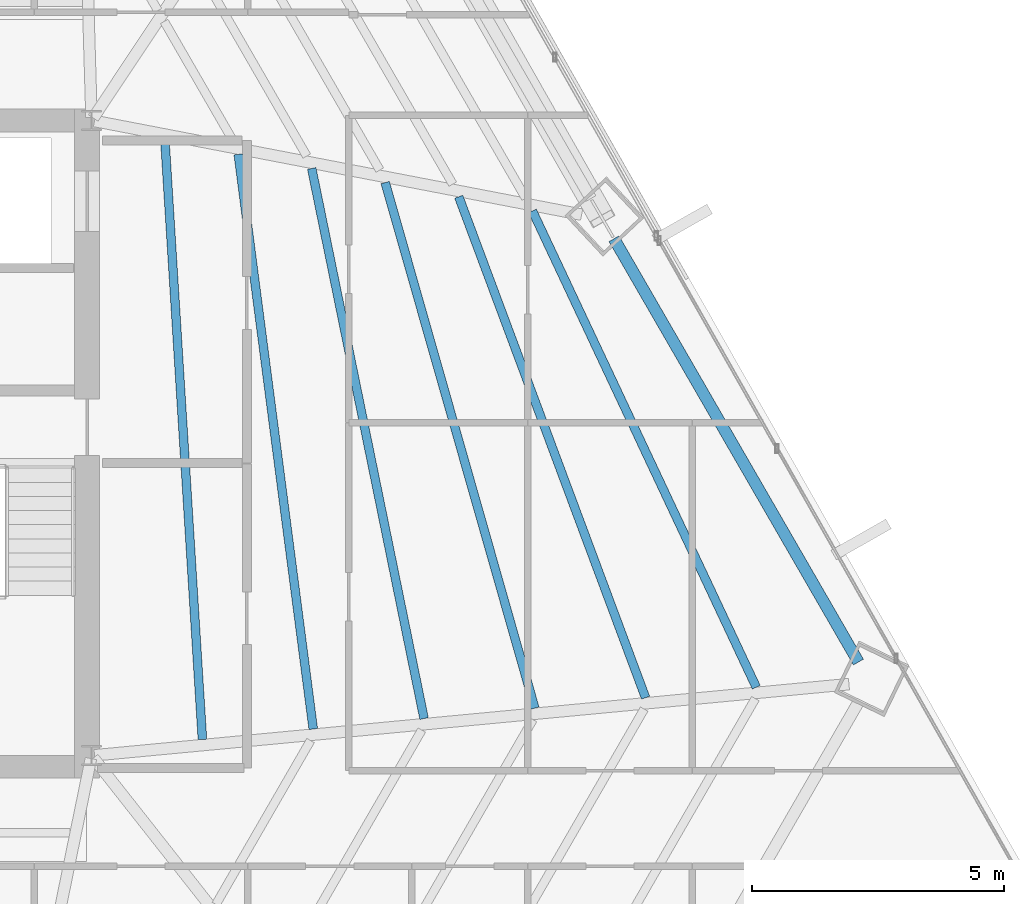
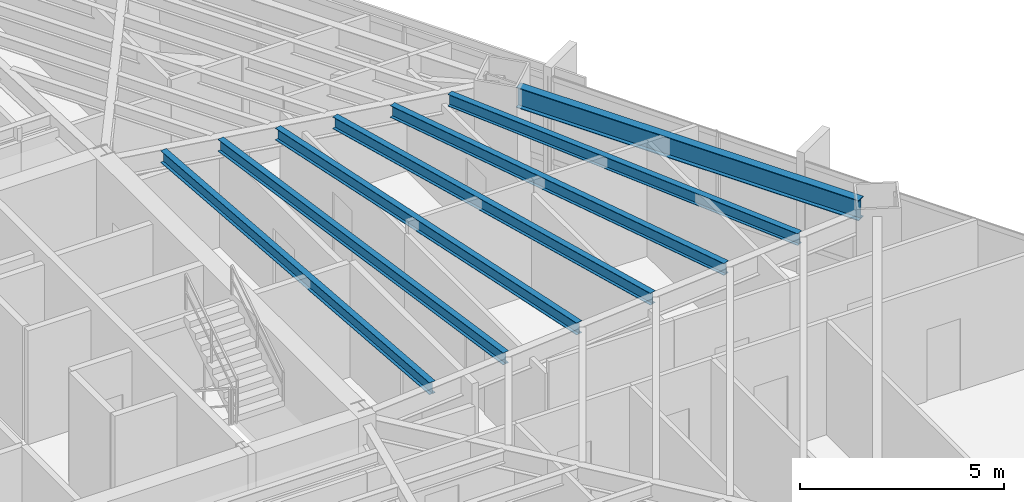
# One storey, part 21 of 37: 7 beams.
"""IFC4 building model written with IfcOpenShell, lengths in metres."""

import ifcopenshell
import ifcopenshell.guid

model = None  # the IFC model being written
_history = None  # IfcOwnerHistory: only IFC2X3 demands one
_inside = {}  # id of a spatial element -> (the spatial element, [elements in it])
_under = {}  # id of a project, library or spatial element -> (it, [spatial elements below it])
_declared = {}  # id of a project -> (the project, [libraries it declares])
_typed = {}  # id of a type object -> (the type object, [elements of that type])
_made_of = {}  # id of a material, layer set ... -> (it, [elements and type objects made of it])


def new_model(schema):
    """Start an empty IFC model of exactly this schema.

    Asked for "IFC4X3", IfcOpenShell would pick the latest addendum, in which some entities
    have other attributes; the version numbers below select the first issue.
    IFC2X3 requires an IfcOwnerHistory on every rooted entity: one is made here for all.
    """
    global model, _history
    if schema == "IFC4X3":
        model = ifcopenshell.file(schema_version=(4, 3, 0, 0))
    else:
        model = ifcopenshell.file(schema=schema)
    _inside.clear()
    _under.clear()
    _declared.clear()
    _typed.clear()
    _made_of.clear()
    _history = None
    if model.schema == "IFC2X3":
        org = make("IfcOrganization", Name="unknown")
        user = make(
            "IfcPersonAndOrganization",
            ThePerson=make("IfcPerson", FamilyName="unknown"),
            TheOrganization=org,
        )
        app = make(
            "IfcApplication",
            ApplicationDeveloper=org,
            Version="unknown",
            ApplicationFullName="unknown",
            ApplicationIdentifier="unknown",
        )
        _history = make(
            "IfcOwnerHistory",
            OwningUser=user,
            OwningApplication=app,
            ChangeAction="ADDED",
            CreationDate=0,
        )
    return model


def make(cls, **values):
    """One entity of the class cls with the attributes given. An attribute that is None is left unset."""
    return model.create_entity(
        cls, **{name: value for name, value in values.items() if value is not None}
    )


def rooted(cls, **values):
    """An entity with a GlobalId (a new one), such as an element, a storey or a relation."""
    return make(cls, GlobalId=ifcopenshell.guid.new(), OwnerHistory=_history, **values)


def si_unit(unit_type, name, prefix=None):
    """IfcSIUnit, for example si_unit("LENGTHUNIT", "METRE", prefix="MILLI")."""
    return make("IfcSIUnit", UnitType=unit_type, Prefix=prefix, Name=name)


def assignment(units):
    """IfcUnitAssignment: the units of a project."""
    return None if units is None else make("IfcUnitAssignment", Units=units)


def point(xyz):
    """IfcCartesianPoint."""
    return None if xyz is None else make("IfcCartesianPoint", Coordinates=xyz)


def direction(xyz):
    """IfcDirection."""
    return None if xyz is None else make("IfcDirection", DirectionRatios=xyz)


def frame(location, z_axis=None, x_axis=None):
    """IfcAxis2Placement3D, a coordinate frame: its origin and axes. An axis left out is left unset."""
    return make(
        "IfcAxis2Placement3D",
        Location=point(location),
        Axis=direction(z_axis),
        RefDirection=direction(x_axis),
    )


def frame_2d(location, x_axis=None):
    """IfcAxis2Placement2D, a coordinate frame in the plane: its origin and x axis."""
    return make(
        "IfcAxis2Placement2D", Location=point(location), RefDirection=direction(x_axis)
    )


def origin():
    """The frame at (0, 0, 0) with its axes left unset."""
    return frame((0.0, 0.0, 0.0))


def origin_2d():
    """The frame at (0, 0) in the plane with its x axis left unset."""
    return frame_2d((0.0, 0.0))


def place(relative_to, where):
    """IfcLocalPlacement: puts the frame where relative to a parent placement (None: the world)."""
    return make(
        "IfcLocalPlacement", PlacementRelTo=relative_to, RelativePlacement=where
    )


def context(
    kind, dimensions, precision=None, world=None, true_north=None, identifier=None
):
    """IfcGeometricRepresentationContext, for example the 3D "Model" context."""
    return make(
        "IfcGeometricRepresentationContext",
        ContextIdentifier=identifier,
        ContextType=kind,
        CoordinateSpaceDimension=dimensions,
        Precision=precision,
        WorldCoordinateSystem=world,
        TrueNorth=true_north,
    )


def subcontext(parent, identifier, kind, view, scale=None):
    """IfcGeometricRepresentationSubContext, for example "Body" below "Model"."""
    return make(
        "IfcGeometricRepresentationSubContext",
        ContextIdentifier=identifier,
        ContextType=kind,
        ParentContext=parent,
        TargetScale=scale,
        TargetView=view,
    )


def project(units=None, contexts=None):
    """IfcProject with its units and contexts."""
    return rooted(
        "IfcProject",
        Name="project",
        RepresentationContexts=contexts,
        UnitsInContext=assignment(units),
    )


def spatial(cls, under=None, at=None, **own):
    """A site, building, storey or space (cls), placed at a placement, below another one or the project."""
    s = rooted(cls, ObjectPlacement=at, **own)
    if under is not None:
        _under.setdefault(under.id(), (under, []))[1].append(s)
    return s


def profile(cls, at=None, kind="AREA", **sizes):
    """A parametric profile (cls). Its sizes go by their IFC names, for example OverallWidth=200.0."""
    return make(cls, ProfileType=kind, Position=at, **sizes)


def i_section(**sizes):
    """IfcIShapeProfileDef."""
    return profile("IfcIShapeProfileDef", **sizes)


def extrude(swept, where, along, depth):
    """IfcExtrudedAreaSolid: the profile swept, set in the frame where, extruded along a direction by depth."""
    return make(
        "IfcExtrudedAreaSolid",
        SweptArea=swept,
        Position=where,
        ExtrudedDirection=direction(along),
        Depth=depth,
    )


def shape(context_of_items, identifier, shape_type, items):
    """IfcShapeRepresentation: the items that make up one representation, for example the "Body"."""
    return make(
        "IfcShapeRepresentation",
        ContextOfItems=context_of_items,
        RepresentationIdentifier=identifier,
        RepresentationType=shape_type,
        Items=items,
    )


def source(mapping_origin, context_of_items, identifier, shape_type, items):
    """IfcRepresentationMap: a shape defined once, which mapped items show again and again."""
    return make(
        "IfcRepresentationMap",
        MappingOrigin=mapping_origin,
        MappedRepresentation=shape(context_of_items, identifier, shape_type, items),
    )


def transform(
    local_origin,
    x_axis=None,
    y_axis=None,
    z_axis=None,
    scale=None,
    scale2=None,
    scale3=None,
    uniform=True,
):
    """IfcCartesianTransformationOperator3D, or its non-uniform kind. x_axis, y_axis, z_axis: its Axis1, 2, 3."""
    if uniform:
        return make(
            "IfcCartesianTransformationOperator3D",
            Axis1=direction(x_axis),
            Axis2=direction(y_axis),
            LocalOrigin=point(local_origin),
            Scale=scale,
            Axis3=direction(z_axis),
        )
    return make(
        "IfcCartesianTransformationOperator3DnonUniform",
        Axis1=direction(x_axis),
        Axis2=direction(y_axis),
        LocalOrigin=point(local_origin),
        Scale=scale,
        Axis3=direction(z_axis),
        Scale2=scale2,
        Scale3=scale3,
    )


def mapped(mapping_source, mapping_target):
    """IfcMappedItem: shows the shape of a source again, moved by a transform."""
    return make(
        "IfcMappedItem", MappingSource=mapping_source, MappingTarget=mapping_target
    )


def material(Name=None, Category=None):
    """IfcMaterial."""
    return make("IfcMaterial", Name=Name, Category=Category)


def material_profile(
    of_material, cross_section, Name=None, Category=None, Priority=None
):
    """IfcMaterialProfile: a cross section and its material."""
    return make(
        "IfcMaterialProfile",
        Name=Name,
        Material=of_material,
        Profile=cross_section,
        Priority=Priority,
        Category=Category,
    )


def profile_set(profiles, Name=None, composite=None):
    """IfcMaterialProfileSet."""
    return make(
        "IfcMaterialProfileSet",
        Name=Name,
        MaterialProfiles=profiles,
        CompositeProfile=composite,
    )


def made_of(thing, what):
    """Note that an element or type object is made of a material, layer set ...; save() writes the relation."""
    if what is not None:
        _made_of.setdefault(what.id(), (what, []))[1].append(thing)
    return thing


def type_object(cls, material=None, **own):
    """A type object (cls), such as IfcWallType, which elements share."""
    return made_of(rooted(cls, **own), material)


def type_shapes(of_type, sources):
    """Give a type object the sources (RepresentationMaps) that its elements show as mapped items."""
    of_type.RepresentationMaps = sources


def element(
    cls,
    number,
    at=None,
    inside=None,
    cuts=None,
    type_object=None,
    material=None,
    context=None,
    identifier="Body",
    shape_type=None,
    held_by="IfcProductDefinitionShape",
    body=None,
    shapes=None,
    **own,
):
    """One element of the class cls, such as IfcWall. Its Tag is "e" and its number.

    at: its placement. inside: the storey or other place that contains it. cuts: it is an
    opening in that element (IfcRelVoidsElement). A single representation is given by context,
    identifier, shape_type and body (its items); several are given by shapes. held_by: the class
    of the entity that holds the representations. save() writes the other relations.
    """
    e = rooted(cls, Tag="e%d" % number, ObjectPlacement=at, **own)
    if body is not None:
        shapes = [shape(context, identifier, shape_type, body)]
    if shapes is not None:
        e.Representation = make(held_by, Representations=shapes)
    if inside is not None:
        _inside.setdefault(inside.id(), (inside, []))[1].append(e)
    if cuts is not None:
        rooted(
            "IfcRelVoidsElement", RelatingBuildingElement=cuts, RelatedOpeningElement=e
        )
    if type_object is not None:
        _typed.setdefault(type_object.id(), (type_object, []))[1].append(e)
    return made_of(e, material)


def aggregate(whole, parts):
    """IfcRelAggregates: a whole, such as a stair, and the parts it consists of."""
    return rooted("IfcRelAggregates", RelatingObject=whole, RelatedObjects=parts)


def save(model, path):
    """Write the relations noted so far, then the file.

    IfcRelAggregates (storeys below a building ...), IfcRelContainedInSpatialStructure (elements
    in a storey), IfcRelDefinesByType, IfcRelAssociatesMaterial and IfcRelDeclares: one each for
    every whole, place, type object, material and project.
    """
    for whole, parts in _under.values():
        aggregate(whole, parts)
    for where, things in _inside.values():
        rooted(
            "IfcRelContainedInSpatialStructure",
            RelatedElements=things,
            RelatingStructure=where,
        )
    for kind, things in _typed.values():
        rooted("IfcRelDefinesByType", RelatedObjects=things, RelatingType=kind)
    for what, things in _made_of.values():
        rooted("IfcRelAssociatesMaterial", RelatedObjects=things, RelatingMaterial=what)
    for by, libraries in _declared.values():
        rooted("IfcRelDeclares", RelatingContext=by, RelatedDefinitions=libraries)
    model.write(path)


model = new_model("IFC4")

# Units and contexts
model_context = context("Model", 3, precision=1e-05, world=origin(), true_north=direction((0.0, 1.0)))
body_context = subcontext(model_context, "Body", "Model", "MODEL_VIEW")
ifc_project = project(units=[si_unit("LENGTHUNIT", "METRE"), si_unit("AREAUNIT", "SQUARE_METRE"), si_unit("VOLUMEUNIT", "CUBIC_METRE"), si_unit("PLANEANGLEUNIT", "RADIAN"), si_unit("MASSUNIT", "GRAM", prefix="KILO")], contexts=[model_context])

# Site, building, storey
site_placement = place(None, origin())
site = spatial("IfcSite", under=ifc_project, at=site_placement, CompositionType="ELEMENT")
building_placement = place(site_placement, origin())
building = spatial("IfcBuilding", under=site, at=building_placement, Name="Caelisora Broadcast Tower", CompositionType="ELEMENT")
storey_placement = place(building_placement, frame((0.0, 0.0, 120.0)))
storey = spatial("IfcBuildingStorey", under=building, at=storey_placement, Name="L31", CompositionType="ELEMENT", Elevation=120.0)

# Beams
ifc_material = material(Name="Steel Grade 350 (AS/NZS 3679.1)", Category="steel")
ifc_material_profile_1 = material_profile(ifc_material, i_section(OverallWidth=0.22900390625, OverallDepth=0.611572265625, WebThickness=0.011962890625, FlangeThickness=0.01953125, at=origin_2d()), Name="Steel Grade 350 (AS/NZS 3679.1)")
ifc_profile_set_1 = profile_set([ifc_material_profile_1], Name="Steel Grade 350 (AS/NZS 3679.1)")
beam_type_1 = type_object("IfcBeamType", Name="PG03", PredefinedType="BEAM", material=ifc_profile_set_1)
shared_shape_1 = source(origin(), body_context, "Body", "SweptSolid", [
    extrude(i_section(OverallWidth=0.22900390625, OverallDepth=0.611572265625, WebThickness=0.011962890625, FlangeThickness=0.01953125, at=origin_2d()), origin(), (0.0, 0.0, 1.0), 9.697265625),
])
type_shapes(beam_type_1, [shared_shape_1])
beam_1_placement = place(storey_placement, frame((60.713134765625, 19.2548828125, 3.09423828125), z_axis=(-0.500005767435, 0.866022073929, 0.0), x_axis=(-0.866022073929, -0.500005767435, 0.0)))
element("IfcBeam", 1, at=beam_1_placement, inside=storey, type_object=beam_type_1, Name="L31 beam PG03", PredefinedType="BEAM", context=body_context, shape_type="MappedRepresentation", body=[
    mapped(shared_shape_1, transform((0.0, 0.0, 0.0), scale=1.0)),
])
ifc_material_profile_2 = material_profile(ifc_material, i_section(OverallWidth=0.172119140625, OverallDepth=0.358642578125, WebThickness=0.008056640625, FlangeThickness=0.012939453125, at=origin_2d()), Name="Steel Grade 350 (AS/NZS 3679.1)")
ifc_profile_set_2 = profile_set([ifc_material_profile_2], Name="Steel Grade 350 (AS/NZS 3679.1)")
beam_type_2 = type_object("IfcBeamType", Name="SB02", PredefinedType="JOIST", material=ifc_profile_set_2)
shared_shape_2 = source(origin(), body_context, "Body", "SweptSolid", [
    extrude(i_section(OverallWidth=0.172119140625, OverallDepth=0.358642578125, WebThickness=0.008056640625, FlangeThickness=0.012939453125, at=origin_2d()), origin(), (0.0, 0.0, 1.0), 11.911376953125),
])
beam_2_placement = place(storey_placement, frame((47.69921875, 17.718994140625, 3.220703125), z_axis=(-0.062493128658, 0.998045394193, 0.0), x_axis=(-0.998045394193, -0.062493128658, 0.0)))
element("IfcBeam", 2, at=beam_2_placement, inside=storey, type_object=beam_type_2, Name="L31 beam SB02", PredefinedType="JOIST", context=body_context, shape_type="MappedRepresentation", body=[
    mapped(shared_shape_2, transform((0.0, 0.0, 0.0), scale=1.0)),
])
shared_shape_3 = source(origin(), body_context, "Body", "SweptSolid", [
    extrude(i_section(OverallWidth=0.172119140625, OverallDepth=0.358642578125, WebThickness=0.008056640625, FlangeThickness=0.012939453125, at=origin_2d()), origin(), (0.0, 0.0, 1.0), 11.49755859375),
])
beam_3_placement = place(storey_placement, frame((49.89794921875, 17.92626953125, 3.220703125), z_axis=(-0.129359155304, 0.991597806038, 0.0), x_axis=(-0.991597806038, -0.129359155304, 0.0)))
element("IfcBeam", 3, at=beam_3_placement, inside=storey, type_object=beam_type_2, Name="L31 beam SB02", PredefinedType="JOIST", context=body_context, shape_type="MappedRepresentation", body=[
    mapped(shared_shape_3, transform((0.0, 0.0, 0.0), scale=1.0)),
])
shared_shape_4 = source(origin(), body_context, "Body", "SweptSolid", [
    extrude(i_section(OverallWidth=0.172119140625, OverallDepth=0.358642578125, WebThickness=0.008056640625, FlangeThickness=0.012939453125, at=origin_2d()), origin(), (0.0, 0.0, 1.0), 11.138671875),
])
beam_4_placement = place(storey_placement, frame((52.09619140625, 18.1337890625, 3.220703125), z_axis=(-0.200093562843, 0.979776794024, 0.0), x_axis=(-0.979776794024, -0.200093562843, 0.0)))
element("IfcBeam", 4, at=beam_4_placement, inside=storey, type_object=beam_type_2, Name="L31 beam SB02", PredefinedType="JOIST", context=body_context, shape_type="MappedRepresentation", body=[
    mapped(shared_shape_4, transform((0.0, 0.0, 0.0), scale=1.0)),
])
shared_shape_5 = source(origin(), body_context, "Body", "SweptSolid", [
    extrude(i_section(OverallWidth=0.172119140625, OverallDepth=0.358642578125, WebThickness=0.008056640625, FlangeThickness=0.012939453125, at=origin_2d()), origin(), (0.0, 0.0, 1.0), 10.840087890625),
])
beam_5_placement = place(storey_placement, frame((54.293701171875, 18.3408203125, 3.220703125), z_axis=(-0.273843510148, 0.96177426247, 0.0), x_axis=(-0.96177426247, -0.273843510148, 0.0)))
element("IfcBeam", 5, at=beam_5_placement, inside=storey, type_object=beam_type_2, Name="L31 beam SB02", PredefinedType="JOIST", context=body_context, shape_type="MappedRepresentation", body=[
    mapped(shared_shape_5, transform((0.0, 0.0, 0.0), scale=1.0)),
])
shared_shape_6 = source(origin(), body_context, "Body", "SweptSolid", [
    extrude(i_section(OverallWidth=0.172119140625, OverallDepth=0.358642578125, WebThickness=0.008056640625, FlangeThickness=0.012939453125, at=origin_2d()), origin(), (0.0, 0.0, 1.0), 10.606201171875),
])
beam_6_placement = place(storey_placement, frame((56.490478515625, 18.548095703125, 3.220703125), z_axis=(-0.349420126076, 0.936966154935, 0.0), x_axis=(-0.936966154935, -0.349420126076, 0.0)))
element("IfcBeam", 6, at=beam_6_placement, inside=storey, type_object=beam_type_2, Name="L31 beam SB02", PredefinedType="JOIST", context=body_context, shape_type="MappedRepresentation", body=[
    mapped(shared_shape_6, transform((0.0, 0.0, 0.0), scale=1.0)),
])
shared_shape_7 = source(origin(), body_context, "Body", "SweptSolid", [
    extrude(i_section(OverallWidth=0.172119140625, OverallDepth=0.358642578125, WebThickness=0.008056640625, FlangeThickness=0.012939453125, at=origin_2d()), origin(), (0.0, 0.0, 1.0), 10.441162109375),
])
type_shapes(beam_type_2, [shared_shape_2, shared_shape_3, shared_shape_4, shared_shape_5, shared_shape_6, shared_shape_7])
beam_7_placement = place(storey_placement, frame((58.686767578125, 18.75537109375, 3.220703125), z_axis=(-0.425373588463, 0.905017850784, 0.0), x_axis=(-0.905017850784, -0.425373588463, 0.0)))
element("IfcBeam", 7, at=beam_7_placement, inside=storey, type_object=beam_type_2, Name="L31 beam SB02", PredefinedType="JOIST", context=body_context, shape_type="MappedRepresentation", body=[
    mapped(shared_shape_7, transform((0.0, 0.0, 0.0), scale=1.0)),
])

save(model, "model.ifc")
